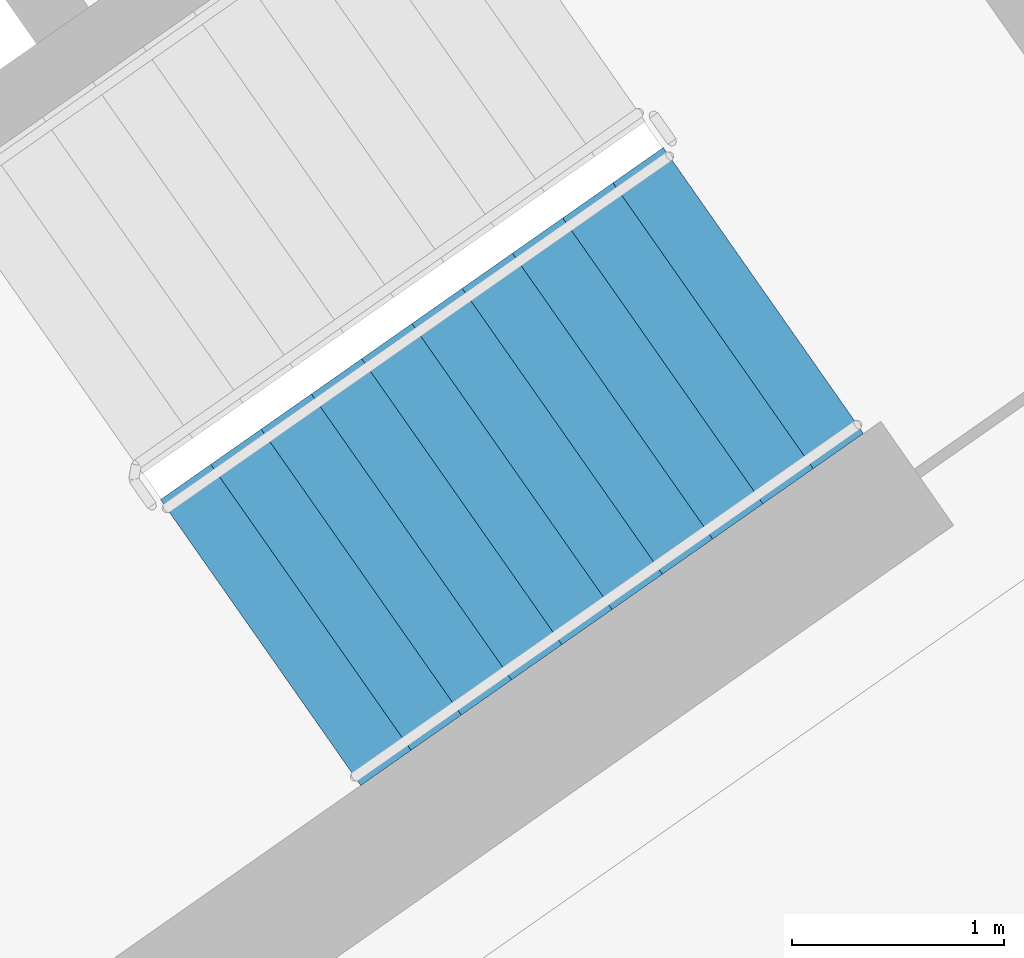
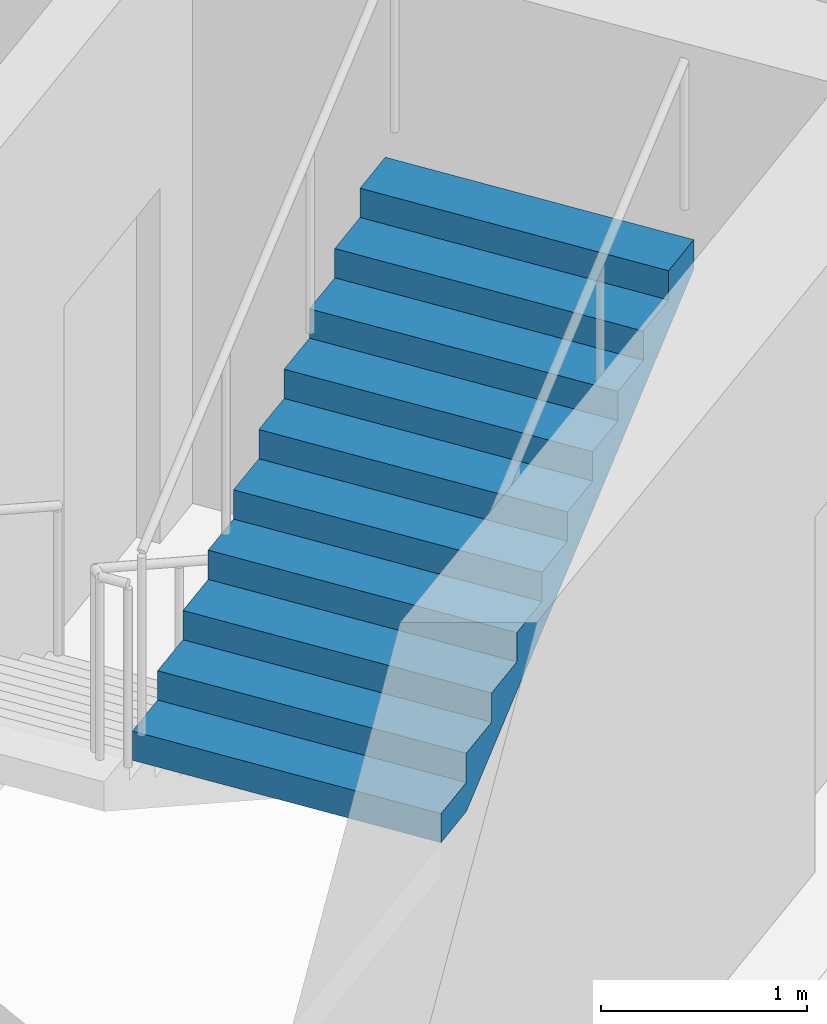
# One storey, part 13 of 27: 1 stair flight, 1 element without a shape of its own.
"""IFC4 building model written with IfcOpenShell, lengths in metres."""

from ifc_helpers import new_model, si_unit, direction, frame, origin, place, context, subcontext, project, spatial, faceted_brep, material, type_object, element, aggregate, save


model = new_model("IFC4")

# Units and contexts
model_context = context("Model", 3, precision=1e-05, world=origin(), true_north=direction((0.0, 1.0)))
body_context = subcontext(model_context, "Body", "Model", "MODEL_VIEW")
ifc_project = project(units=[si_unit("LENGTHUNIT", "METRE"), si_unit("AREAUNIT", "SQUARE_METRE"), si_unit("VOLUMEUNIT", "CUBIC_METRE"), si_unit("PLANEANGLEUNIT", "RADIAN"), si_unit("MASSUNIT", "GRAM", prefix="KILO")], contexts=[model_context])

# Site, building, storey
site_placement = place(None, origin())
site = spatial("IfcSite", under=ifc_project, at=site_placement, CompositionType="ELEMENT")
building_placement = place(site_placement, origin())
building = spatial("IfcBuilding", under=site, at=building_placement, Name="Qamariyya Broadcast Tower", CompositionType="ELEMENT")
storey_placement = place(building_placement, frame((0.0, 0.0, 222.699951171875)))
storey = spatial("IfcBuildingStorey", under=building, at=storey_placement, Name="L53", CompositionType="ELEMENT", Elevation=222.699951171875)

# Stair, stair flight
ifc_material = material(Name="Concrete C50/60", Category="concrete")
stair_type = type_object("IfcStairType", Name="Exit stair 22 risers of 173 mm", PredefinedType="HALF_TURN_STAIR", material=ifc_material)
stair_placement = place(storey_placement, origin())
stair = element("IfcStair", 1, at=stair_placement, inside=storey, type_object=stair_type, Name="L53 Stair E1", PredefinedType="HALF_TURN_STAIR")
stair_flight_type = type_object("IfcStairFlightType", Name="Exit stair flight 11 risers of 173 mm", PredefinedType="STRAIGHT", material=ifc_material)
stair_flight_placement = place(storey_placement, frame((44.693359375, -58.64599609375, 1.900146484375), z_axis=(0.0, 0.0, 1.0), x_axis=(0.819152044289, 0.573576436351, 0.0)))
stair_flight = element("IfcStairFlight", 2, at=stair_flight_placement, type_object=stair_flight_type, Name="ST-E1 flight 2", NumberOfRisers=11, NumberOfTreads=10, PredefinedType="STRAIGHT", RiserHeight=0.172727273, TreadLength=0.29, context=body_context, shape_type="Brep", body=[
    faceted_brep([(0.0, 0.824951171875, 0.0), (0.0, 0.824951171875, 0.172607421875), (0.2900390625, 0.824951171875, 0.172607421875), (0.2900390625, 0.824951171875, 0.345458984375), (0.580078125, 0.824951171875, 0.345458984375), (0.580078125, 0.824951171875, 0.51806640625), (0.8701171875, 0.824951171875, 0.51806640625), (0.8701171875, 0.824951171875, 0.69091796875), (1.159912109375, 0.824951171875, 0.69091796875), (1.159912109375, 0.824951171875, 0.863525390625), (1.449951171875, 0.824951171875, 0.863525390625), (1.449951171875, 0.824951171875, 1.036376953125), (1.739990234375, 0.824951171875, 1.036376953125), (1.739990234375, 0.824951171875, 1.208984375), (2.030029296875, 0.824951171875, 1.208984375), (2.030029296875, 0.824951171875, 1.3818359375), (2.320068359375, 0.824951171875, 1.3818359375), (2.320068359375, 0.824951171875, 1.554443359375), (2.610107421875, 0.824951171875, 1.554443359375), (2.610107421875, 0.824951171875, 1.727294921875), (2.89990234375, 0.824951171875, 1.727294921875), (2.89990234375, 0.824951171875, 1.552734375), (0.29296875, 0.824951171875, 0.0), (0.29296875, -0.824951171875, 0.0), (2.89990234375, -0.824951171875, 1.552734375), (2.89990234375, -0.824951171875, 1.727294921875), (2.610107421875, -0.824951171875, 1.727294921875), (2.610107421875, -0.824951171875, 1.554443359375), (2.320068359375, -0.824951171875, 1.554443359375), (2.320068359375, -0.824951171875, 1.3818359375), (2.030029296875, -0.824951171875, 1.3818359375), (2.030029296875, -0.824951171875, 1.208984375), (1.739990234375, -0.824951171875, 1.208984375), (1.739990234375, -0.824951171875, 1.036376953125), (1.449951171875, -0.824951171875, 1.036376953125), (1.449951171875, -0.824951171875, 0.863525390625), (1.159912109375, -0.824951171875, 0.863525390625), (1.159912109375, -0.824951171875, 0.69091796875), (0.8701171875, -0.824951171875, 0.69091796875), (0.8701171875, -0.824951171875, 0.51806640625), (0.580078125, -0.824951171875, 0.51806640625), (0.580078125, -0.824951171875, 0.345458984375), (0.2900390625, -0.824951171875, 0.345458984375), (0.2900390625, -0.824951171875, 0.172607421875), (0.0, -0.824951171875, 0.172607421875), (0.0, -0.824951171875, 0.0), (0.0, 0.10009765625, 0.0), (0.0, 0.086669921875, 0.0), (0.0, 0.0732421875, 0.0), (0.0, 0.06005859375, 0.0), (0.0, 0.046630859375, 0.0), (0.0, 0.033447265625, 0.0), (0.0, 0.02001953125, 0.0), (0.0, 0.006591796875, 0.0), (0.0, -0.006591796875, 0.0), (0.0, -0.02001953125, 0.0), (0.0, -0.033447265625, 0.0), (0.0, -0.046630859375, 0.0), (0.0, -0.06005859375, 0.0), (0.0, -0.0732421875, 0.0), (0.0, -0.086669921875, 0.0), (0.0, -0.10009765625, 0.0), (0.0, -0.10009765625, 0.172607421875), (0.0, -0.086669921875, 0.172607421875), (0.0, -0.0732421875, 0.172607421875), (0.0, -0.06005859375, 0.172607421875), (0.0, -0.046630859375, 0.172607421875), (0.0, -0.033447265625, 0.172607421875), (0.0, -0.02001953125, 0.172607421875), (0.0, -0.006591796875, 0.172607421875), (0.0, 0.006591796875, 0.172607421875), (0.0, 0.02001953125, 0.172607421875), (0.0, 0.033447265625, 0.172607421875), (0.0, 0.046630859375, 0.172607421875), (0.0, 0.06005859375, 0.172607421875), (0.0, 0.0732421875, 0.172607421875), (0.0, 0.086669921875, 0.172607421875), (0.0, 0.10009765625, 0.172607421875), (0.2900390625, -0.10009765625, 0.172607421875), (0.2900390625, -0.086669921875, 0.172607421875), (0.2900390625, -0.0732421875, 0.172607421875), (0.2900390625, -0.06005859375, 0.172607421875), (0.2900390625, -0.046630859375, 0.172607421875), (0.2900390625, -0.033447265625, 0.172607421875), (0.2900390625, -0.02001953125, 0.172607421875), (0.2900390625, -0.006591796875, 0.172607421875), (0.2900390625, 0.006591796875, 0.172607421875), (0.2900390625, 0.02001953125, 0.172607421875), (0.2900390625, 0.033447265625, 0.172607421875), (0.2900390625, 0.046630859375, 0.172607421875), (0.2900390625, 0.06005859375, 0.172607421875), (0.2900390625, 0.0732421875, 0.172607421875), (0.2900390625, 0.086669921875, 0.172607421875), (0.2900390625, 0.10009765625, 0.172607421875), (0.2900390625, -0.10009765625, 0.345458984375), (0.2900390625, -0.086669921875, 0.345458984375), (0.2900390625, -0.0732421875, 0.345458984375), (0.2900390625, -0.06005859375, 0.345458984375), (0.2900390625, -0.046630859375, 0.345458984375), (0.2900390625, -0.033447265625, 0.345458984375), (0.2900390625, -0.02001953125, 0.345458984375), (0.2900390625, -0.006591796875, 0.345458984375), (0.2900390625, 0.006591796875, 0.345458984375), (0.2900390625, 0.02001953125, 0.345458984375), (0.2900390625, 0.033447265625, 0.345458984375), (0.2900390625, 0.046630859375, 0.345458984375), (0.2900390625, 0.06005859375, 0.345458984375), (0.2900390625, 0.0732421875, 0.345458984375), (0.2900390625, 0.086669921875, 0.345458984375), (0.2900390625, 0.10009765625, 0.345458984375), (0.580078125, -0.10009765625, 0.345458984375), (0.580078125, -0.086669921875, 0.345458984375), (0.580078125, -0.0732421875, 0.345458984375), (0.580078125, -0.06005859375, 0.345458984375), (0.580078125, -0.046630859375, 0.345458984375), (0.580078125, -0.033447265625, 0.345458984375), (0.580078125, -0.02001953125, 0.345458984375), (0.580078125, -0.006591796875, 0.345458984375), (0.580078125, 0.006591796875, 0.345458984375), (0.580078125, 0.02001953125, 0.345458984375), (0.580078125, 0.033447265625, 0.345458984375), (0.580078125, 0.046630859375, 0.345458984375), (0.580078125, 0.06005859375, 0.345458984375), (0.580078125, 0.0732421875, 0.345458984375), (0.580078125, 0.086669921875, 0.345458984375), (0.580078125, 0.10009765625, 0.345458984375), (0.580078125, -0.10009765625, 0.51806640625), (0.580078125, -0.086669921875, 0.51806640625), (0.580078125, -0.0732421875, 0.51806640625), (0.580078125, -0.06005859375, 0.51806640625), (0.580078125, -0.046630859375, 0.51806640625), (0.580078125, -0.033447265625, 0.51806640625), (0.580078125, -0.02001953125, 0.51806640625), (0.580078125, -0.006591796875, 0.51806640625), (0.580078125, 0.006591796875, 0.51806640625), (0.580078125, 0.02001953125, 0.51806640625), (0.580078125, 0.033447265625, 0.51806640625), (0.580078125, 0.046630859375, 0.51806640625), (0.580078125, 0.06005859375, 0.51806640625), (0.580078125, 0.0732421875, 0.51806640625), (0.580078125, 0.086669921875, 0.51806640625), (0.580078125, 0.10009765625, 0.51806640625), (0.8701171875, -0.10009765625, 0.51806640625), (0.8701171875, -0.086669921875, 0.51806640625), (0.8701171875, -0.0732421875, 0.51806640625), (0.8701171875, -0.06005859375, 0.51806640625), (0.8701171875, -0.046630859375, 0.51806640625), (0.8701171875, -0.033447265625, 0.51806640625), (0.8701171875, -0.02001953125, 0.51806640625), (0.8701171875, -0.006591796875, 0.51806640625), (0.8701171875, 0.006591796875, 0.51806640625), (0.8701171875, 0.02001953125, 0.51806640625), (0.8701171875, 0.033447265625, 0.51806640625), (0.8701171875, 0.046630859375, 0.51806640625), (0.8701171875, 0.06005859375, 0.51806640625), (0.8701171875, 0.0732421875, 0.51806640625), (0.8701171875, 0.086669921875, 0.51806640625), (0.8701171875, 0.10009765625, 0.51806640625), (0.8701171875, -0.10009765625, 0.69091796875), (0.8701171875, -0.086669921875, 0.69091796875), (0.8701171875, -0.0732421875, 0.69091796875), (0.8701171875, -0.06005859375, 0.69091796875), (0.8701171875, -0.046630859375, 0.69091796875), (0.8701171875, -0.033447265625, 0.69091796875), (0.8701171875, -0.02001953125, 0.69091796875), (0.8701171875, -0.006591796875, 0.69091796875), (0.8701171875, 0.006591796875, 0.69091796875), (0.8701171875, 0.02001953125, 0.69091796875), (0.8701171875, 0.033447265625, 0.69091796875), (0.8701171875, 0.046630859375, 0.69091796875), (0.8701171875, 0.06005859375, 0.69091796875), (0.8701171875, 0.0732421875, 0.69091796875), (0.8701171875, 0.086669921875, 0.69091796875), (0.8701171875, 0.10009765625, 0.69091796875), (1.159912109375, -0.10009765625, 0.69091796875), (1.159912109375, -0.086669921875, 0.69091796875), (1.159912109375, -0.0732421875, 0.69091796875), (1.159912109375, -0.06005859375, 0.69091796875), (1.159912109375, -0.046630859375, 0.69091796875), (1.159912109375, -0.033447265625, 0.69091796875), (1.159912109375, -0.02001953125, 0.69091796875), (1.159912109375, -0.006591796875, 0.69091796875), (1.159912109375, 0.006591796875, 0.69091796875), (1.159912109375, 0.02001953125, 0.69091796875), (1.159912109375, 0.033447265625, 0.69091796875), (1.159912109375, 0.046630859375, 0.69091796875), (1.159912109375, 0.06005859375, 0.69091796875), (1.159912109375, 0.0732421875, 0.69091796875), (1.159912109375, 0.086669921875, 0.69091796875), (1.159912109375, 0.10009765625, 0.69091796875), (1.159912109375, -0.10009765625, 0.863525390625), (1.159912109375, -0.086669921875, 0.863525390625), (1.159912109375, -0.0732421875, 0.863525390625), (1.159912109375, -0.06005859375, 0.863525390625), (1.159912109375, -0.046630859375, 0.863525390625), (1.159912109375, -0.033447265625, 0.863525390625), (1.159912109375, -0.02001953125, 0.863525390625), (1.159912109375, -0.006591796875, 0.863525390625), (1.159912109375, 0.006591796875, 0.863525390625), (1.159912109375, 0.02001953125, 0.863525390625), (1.159912109375, 0.033447265625, 0.863525390625), (1.159912109375, 0.046630859375, 0.863525390625), (1.159912109375, 0.06005859375, 0.863525390625), (1.159912109375, 0.0732421875, 0.863525390625), (1.159912109375, 0.086669921875, 0.863525390625), (1.159912109375, 0.10009765625, 0.863525390625), (1.449951171875, -0.10009765625, 0.863525390625), (1.449951171875, -0.086669921875, 0.863525390625), (1.449951171875, -0.0732421875, 0.863525390625), (1.449951171875, -0.06005859375, 0.863525390625), (1.449951171875, -0.046630859375, 0.863525390625), (1.449951171875, -0.033447265625, 0.863525390625), (1.449951171875, -0.02001953125, 0.863525390625), (1.449951171875, -0.006591796875, 0.863525390625), (1.449951171875, 0.006591796875, 0.863525390625), (1.449951171875, 0.02001953125, 0.863525390625), (1.449951171875, 0.033447265625, 0.863525390625), (1.449951171875, 0.046630859375, 0.863525390625), (1.449951171875, 0.06005859375, 0.863525390625), (1.449951171875, 0.0732421875, 0.863525390625), (1.449951171875, 0.086669921875, 0.863525390625), (1.449951171875, 0.10009765625, 0.863525390625), (1.449951171875, -0.10009765625, 1.036376953125), (1.449951171875, -0.086669921875, 1.036376953125), (1.449951171875, -0.0732421875, 1.036376953125), (1.449951171875, -0.06005859375, 1.036376953125), (1.449951171875, -0.046630859375, 1.036376953125), (1.449951171875, -0.033447265625, 1.036376953125), (1.449951171875, -0.02001953125, 1.036376953125), (1.449951171875, -0.006591796875, 1.036376953125), (1.449951171875, 0.006591796875, 1.036376953125), (1.449951171875, 0.02001953125, 1.036376953125), (1.449951171875, 0.033447265625, 1.036376953125), (1.449951171875, 0.046630859375, 1.036376953125), (1.449951171875, 0.06005859375, 1.036376953125), (1.449951171875, 0.0732421875, 1.036376953125), (1.449951171875, 0.086669921875, 1.036376953125), (1.449951171875, 0.10009765625, 1.036376953125), (1.739990234375, -0.10009765625, 1.036376953125), (1.739990234375, -0.086669921875, 1.036376953125), (1.739990234375, -0.0732421875, 1.036376953125), (1.739990234375, -0.06005859375, 1.036376953125), (1.739990234375, -0.046630859375, 1.036376953125), (1.739990234375, -0.033447265625, 1.036376953125), (1.739990234375, -0.02001953125, 1.036376953125), (1.739990234375, -0.006591796875, 1.036376953125), (1.739990234375, 0.006591796875, 1.036376953125), (1.739990234375, 0.02001953125, 1.036376953125), (1.739990234375, 0.033447265625, 1.036376953125), (1.739990234375, 0.046630859375, 1.036376953125), (1.739990234375, 0.06005859375, 1.036376953125), (1.739990234375, 0.0732421875, 1.036376953125), (1.739990234375, 0.086669921875, 1.036376953125), (1.739990234375, 0.10009765625, 1.036376953125), (1.739990234375, -0.10009765625, 1.208984375), (1.739990234375, -0.086669921875, 1.208984375), (1.739990234375, -0.0732421875, 1.208984375), (1.739990234375, -0.06005859375, 1.208984375), (1.739990234375, -0.046630859375, 1.208984375), (1.739990234375, -0.033447265625, 1.208984375), (1.739990234375, -0.02001953125, 1.208984375), (1.739990234375, -0.006591796875, 1.208984375), (1.739990234375, 0.006591796875, 1.208984375), (1.739990234375, 0.02001953125, 1.208984375), (1.739990234375, 0.033447265625, 1.208984375), (1.739990234375, 0.046630859375, 1.208984375), (1.739990234375, 0.06005859375, 1.208984375), (1.739990234375, 0.0732421875, 1.208984375), (1.739990234375, 0.086669921875, 1.208984375), (1.739990234375, 0.10009765625, 1.208984375), (2.030029296875, -0.10009765625, 1.208984375), (2.030029296875, -0.086669921875, 1.208984375), (2.030029296875, -0.0732421875, 1.208984375), (2.030029296875, -0.06005859375, 1.208984375), (2.030029296875, -0.046630859375, 1.208984375), (2.030029296875, -0.033447265625, 1.208984375), (2.030029296875, -0.02001953125, 1.208984375), (2.030029296875, -0.006591796875, 1.208984375), (2.030029296875, 0.006591796875, 1.208984375), (2.030029296875, 0.02001953125, 1.208984375), (2.030029296875, 0.033447265625, 1.208984375), (2.030029296875, 0.046630859375, 1.208984375), (2.030029296875, 0.06005859375, 1.208984375), (2.030029296875, 0.0732421875, 1.208984375), (2.030029296875, 0.086669921875, 1.208984375), (2.030029296875, 0.10009765625, 1.208984375), (2.030029296875, -0.10009765625, 1.3818359375), (2.030029296875, -0.086669921875, 1.3818359375), (2.030029296875, -0.0732421875, 1.3818359375), (2.030029296875, -0.06005859375, 1.3818359375), (2.030029296875, -0.046630859375, 1.3818359375), (2.030029296875, -0.033447265625, 1.3818359375), (2.030029296875, -0.02001953125, 1.3818359375), (2.030029296875, -0.006591796875, 1.3818359375), (2.030029296875, 0.006591796875, 1.3818359375), (2.030029296875, 0.02001953125, 1.3818359375), (2.030029296875, 0.033447265625, 1.3818359375), (2.030029296875, 0.046630859375, 1.3818359375), (2.030029296875, 0.06005859375, 1.3818359375), (2.030029296875, 0.0732421875, 1.3818359375), (2.030029296875, 0.086669921875, 1.3818359375), (2.030029296875, 0.10009765625, 1.3818359375), (2.320068359375, -0.10009765625, 1.3818359375), (2.320068359375, -0.086669921875, 1.3818359375), (2.320068359375, -0.0732421875, 1.3818359375), (2.320068359375, -0.06005859375, 1.3818359375), (2.320068359375, -0.046630859375, 1.3818359375), (2.320068359375, -0.033447265625, 1.3818359375), (2.320068359375, -0.02001953125, 1.3818359375), (2.320068359375, -0.006591796875, 1.3818359375), (2.320068359375, 0.006591796875, 1.3818359375), (2.320068359375, 0.02001953125, 1.3818359375), (2.320068359375, 0.033447265625, 1.3818359375), (2.320068359375, 0.046630859375, 1.3818359375), (2.320068359375, 0.06005859375, 1.3818359375), (2.320068359375, 0.0732421875, 1.3818359375), (2.320068359375, 0.086669921875, 1.3818359375), (2.320068359375, 0.10009765625, 1.3818359375), (2.320068359375, -0.10009765625, 1.554443359375), (2.320068359375, -0.086669921875, 1.554443359375), (2.320068359375, -0.0732421875, 1.554443359375), (2.320068359375, -0.06005859375, 1.554443359375), (2.320068359375, -0.046630859375, 1.554443359375), (2.320068359375, -0.033447265625, 1.554443359375), (2.320068359375, -0.02001953125, 1.554443359375), (2.320068359375, -0.006591796875, 1.554443359375), (2.320068359375, 0.006591796875, 1.554443359375), (2.320068359375, 0.02001953125, 1.554443359375), (2.320068359375, 0.033447265625, 1.554443359375), (2.320068359375, 0.046630859375, 1.554443359375), (2.320068359375, 0.06005859375, 1.554443359375), (2.320068359375, 0.0732421875, 1.554443359375), (2.320068359375, 0.086669921875, 1.554443359375), (2.320068359375, 0.10009765625, 1.554443359375), (2.610107421875, -0.10009765625, 1.554443359375), (2.610107421875, -0.086669921875, 1.554443359375), (2.610107421875, -0.0732421875, 1.554443359375), (2.610107421875, -0.06005859375, 1.554443359375), (2.610107421875, -0.046630859375, 1.554443359375), (2.610107421875, -0.033447265625, 1.554443359375), (2.610107421875, -0.02001953125, 1.554443359375), (2.610107421875, -0.006591796875, 1.554443359375), (2.610107421875, 0.006591796875, 1.554443359375), (2.610107421875, 0.02001953125, 1.554443359375), (2.610107421875, 0.033447265625, 1.554443359375), (2.610107421875, 0.046630859375, 1.554443359375), (2.610107421875, 0.06005859375, 1.554443359375), (2.610107421875, 0.0732421875, 1.554443359375), (2.610107421875, 0.086669921875, 1.554443359375), (2.610107421875, 0.10009765625, 1.554443359375), (2.610107421875, -0.10009765625, 1.727294921875), (2.610107421875, -0.086669921875, 1.727294921875), (2.610107421875, -0.0732421875, 1.727294921875), (2.610107421875, -0.06005859375, 1.727294921875), (2.610107421875, -0.046630859375, 1.727294921875), (2.610107421875, -0.033447265625, 1.727294921875), (2.610107421875, -0.02001953125, 1.727294921875), (2.610107421875, -0.006591796875, 1.727294921875), (2.610107421875, 0.006591796875, 1.727294921875), (2.610107421875, 0.02001953125, 1.727294921875), (2.610107421875, 0.033447265625, 1.727294921875), (2.610107421875, 0.046630859375, 1.727294921875), (2.610107421875, 0.06005859375, 1.727294921875), (2.610107421875, 0.0732421875, 1.727294921875), (2.610107421875, 0.086669921875, 1.727294921875), (2.610107421875, 0.10009765625, 1.727294921875), (2.89990234375, -0.10009765625, 1.727294921875), (2.89990234375, -0.086669921875, 1.727294921875), (2.89990234375, -0.0732421875, 1.727294921875), (2.89990234375, -0.06005859375, 1.727294921875), (2.89990234375, -0.046630859375, 1.727294921875), (2.89990234375, -0.033447265625, 1.727294921875), (2.89990234375, -0.02001953125, 1.727294921875), (2.89990234375, -0.006591796875, 1.727294921875), (2.89990234375, 0.006591796875, 1.727294921875), (2.89990234375, 0.02001953125, 1.727294921875), (2.89990234375, 0.033447265625, 1.727294921875), (2.89990234375, 0.046630859375, 1.727294921875), (2.89990234375, 0.06005859375, 1.727294921875), (2.89990234375, 0.0732421875, 1.727294921875), (2.89990234375, 0.086669921875, 1.727294921875), (2.89990234375, 0.10009765625, 1.727294921875), (2.89990234375, -0.10009765625, 1.552734375), (2.89990234375, -0.086669921875, 1.552734375), (2.89990234375, -0.0732421875, 1.552734375), (2.89990234375, -0.06005859375, 1.552734375), (2.89990234375, -0.046630859375, 1.552734375), (2.89990234375, -0.033447265625, 1.552734375), (2.89990234375, -0.02001953125, 1.552734375), (2.89990234375, -0.006591796875, 1.552734375), (2.89990234375, 0.006591796875, 1.552734375), (2.89990234375, 0.02001953125, 1.552734375), (2.89990234375, 0.033447265625, 1.552734375), (2.89990234375, 0.046630859375, 1.552734375), (2.89990234375, 0.06005859375, 1.552734375), (2.89990234375, 0.0732421875, 1.552734375), (2.89990234375, 0.086669921875, 1.552734375), (2.89990234375, 0.10009765625, 1.552734375), (0.29296875, -0.10009765625, 0.0), (0.29296875, -0.086669921875, 0.0), (0.29296875, -0.0732421875, 0.0), (0.29296875, -0.06005859375, 0.0), (0.29296875, -0.046630859375, 0.0), (0.29296875, -0.033447265625, 0.0), (0.29296875, -0.02001953125, 0.0), (0.29296875, -0.006591796875, 0.0), (0.29296875, 0.006591796875, 0.0), (0.29296875, 0.02001953125, 0.0), (0.29296875, 0.033447265625, 0.0), (0.29296875, 0.046630859375, 0.0), (0.29296875, 0.06005859375, 0.0), (0.29296875, 0.0732421875, 0.0), (0.29296875, 0.086669921875, 0.0), (0.29296875, 0.10009765625, 0.0)], [[[0, 1, 2, 3, 4, 5, 6, 7, 8, 9, 10, 11, 12, 13, 14, 15, 16, 17, 18, 19, 20, 21, 22]], [[23, 24, 25, 26, 27, 28, 29, 30, 31, 32, 33, 34, 35, 36, 37, 38, 39, 40, 41, 42, 43, 44, 45]], [[0, 46, 47, 48, 49, 50, 51, 52, 53, 54, 55, 56, 57, 58, 59, 60, 61, 45, 44, 62, 63, 64, 65, 66, 67, 68, 69, 70, 71, 72, 73, 74, 75, 76, 77, 1]], [[1, 77, 76, 75, 74, 73, 72, 71, 70, 69, 68, 67, 66, 65, 64, 63, 62, 44, 43, 78, 79, 80, 81, 82, 83, 84, 85, 86, 87, 88, 89, 90, 91, 92, 93, 2]], [[2, 93, 92, 91, 90, 89, 88, 87, 86, 85, 84, 83, 82, 81, 80, 79, 78, 43, 42, 94, 95, 96, 97, 98, 99, 100, 101, 102, 103, 104, 105, 106, 107, 108, 109, 3]], [[3, 109, 108, 107, 106, 105, 104, 103, 102, 101, 100, 99, 98, 97, 96, 95, 94, 42, 41, 110, 111, 112, 113, 114, 115, 116, 117, 118, 119, 120, 121, 122, 123, 124, 125, 4]], [[4, 125, 124, 123, 122, 121, 120, 119, 118, 117, 116, 115, 114, 113, 112, 111, 110, 41, 40, 126, 127, 128, 129, 130, 131, 132, 133, 134, 135, 136, 137, 138, 139, 140, 141, 5]], [[5, 141, 140, 139, 138, 137, 136, 135, 134, 133, 132, 131, 130, 129, 128, 127, 126, 40, 39, 142, 143, 144, 145, 146, 147, 148, 149, 150, 151, 152, 153, 154, 155, 156, 157, 6]], [[6, 157, 156, 155, 154, 153, 152, 151, 150, 149, 148, 147, 146, 145, 144, 143, 142, 39, 38, 158, 159, 160, 161, 162, 163, 164, 165, 166, 167, 168, 169, 170, 171, 172, 173, 7]], [[7, 173, 172, 171, 170, 169, 168, 167, 166, 165, 164, 163, 162, 161, 160, 159, 158, 38, 37, 174, 175, 176, 177, 178, 179, 180, 181, 182, 183, 184, 185, 186, 187, 188, 189, 8]], [[8, 189, 188, 187, 186, 185, 184, 183, 182, 181, 180, 179, 178, 177, 176, 175, 174, 37, 36, 190, 191, 192, 193, 194, 195, 196, 197, 198, 199, 200, 201, 202, 203, 204, 205, 9]], [[9, 205, 204, 203, 202, 201, 200, 199, 198, 197, 196, 195, 194, 193, 192, 191, 190, 36, 35, 206, 207, 208, 209, 210, 211, 212, 213, 214, 215, 216, 217, 218, 219, 220, 221, 10]], [[10, 221, 220, 219, 218, 217, 216, 215, 214, 213, 212, 211, 210, 209, 208, 207, 206, 35, 34, 222, 223, 224, 225, 226, 227, 228, 229, 230, 231, 232, 233, 234, 235, 236, 237, 11]], [[11, 237, 236, 235, 234, 233, 232, 231, 230, 229, 228, 227, 226, 225, 224, 223, 222, 34, 33, 238, 239, 240, 241, 242, 243, 244, 245, 246, 247, 248, 249, 250, 251, 252, 253, 12]], [[12, 253, 252, 251, 250, 249, 248, 247, 246, 245, 244, 243, 242, 241, 240, 239, 238, 33, 32, 254, 255, 256, 257, 258, 259, 260, 261, 262, 263, 264, 265, 266, 267, 268, 269, 13]], [[13, 269, 268, 267, 266, 265, 264, 263, 262, 261, 260, 259, 258, 257, 256, 255, 254, 32, 31, 270, 271, 272, 273, 274, 275, 276, 277, 278, 279, 280, 281, 282, 283, 284, 285, 14]], [[14, 285, 284, 283, 282, 281, 280, 279, 278, 277, 276, 275, 274, 273, 272, 271, 270, 31, 30, 286, 287, 288, 289, 290, 291, 292, 293, 294, 295, 296, 297, 298, 299, 300, 301, 15]], [[15, 301, 300, 299, 298, 297, 296, 295, 294, 293, 292, 291, 290, 289, 288, 287, 286, 30, 29, 302, 303, 304, 305, 306, 307, 308, 309, 310, 311, 312, 313, 314, 315, 316, 317, 16]], [[16, 317, 316, 315, 314, 313, 312, 311, 310, 309, 308, 307, 306, 305, 304, 303, 302, 29, 28, 318, 319, 320, 321, 322, 323, 324, 325, 326, 327, 328, 329, 330, 331, 332, 333, 17]], [[17, 333, 332, 331, 330, 329, 328, 327, 326, 325, 324, 323, 322, 321, 320, 319, 318, 28, 27, 334, 335, 336, 337, 338, 339, 340, 341, 342, 343, 344, 345, 346, 347, 348, 349, 18]], [[18, 349, 348, 347, 346, 345, 344, 343, 342, 341, 340, 339, 338, 337, 336, 335, 334, 27, 26, 350, 351, 352, 353, 354, 355, 356, 357, 358, 359, 360, 361, 362, 363, 364, 365, 19]], [[19, 365, 364, 363, 362, 361, 360, 359, 358, 357, 356, 355, 354, 353, 352, 351, 350, 26, 25, 366, 367, 368, 369, 370, 371, 372, 373, 374, 375, 376, 377, 378, 379, 380, 381, 20]], [[20, 381, 380, 379, 378, 377, 376, 375, 374, 373, 372, 371, 370, 369, 368, 367, 366, 25, 24, 382, 383, 384, 385, 386, 387, 388, 389, 390, 391, 392, 393, 394, 395, 396, 397, 21]], [[21, 397, 396, 395, 394, 393, 392, 391, 390, 389, 388, 387, 386, 385, 384, 383, 382, 24, 23, 398, 399, 400, 401, 402, 403, 404, 405, 406, 407, 408, 409, 410, 411, 412, 413, 22]], [[22, 413, 412, 411, 410, 409, 408, 407, 406, 405, 404, 403, 402, 401, 400, 399, 398, 23, 45, 61, 60, 59, 58, 57, 56, 55, 54, 53, 52, 51, 50, 49, 48, 47, 46, 0]]]),
])
aggregate(stair, [stair_flight])

save(model, "model.ifc")
